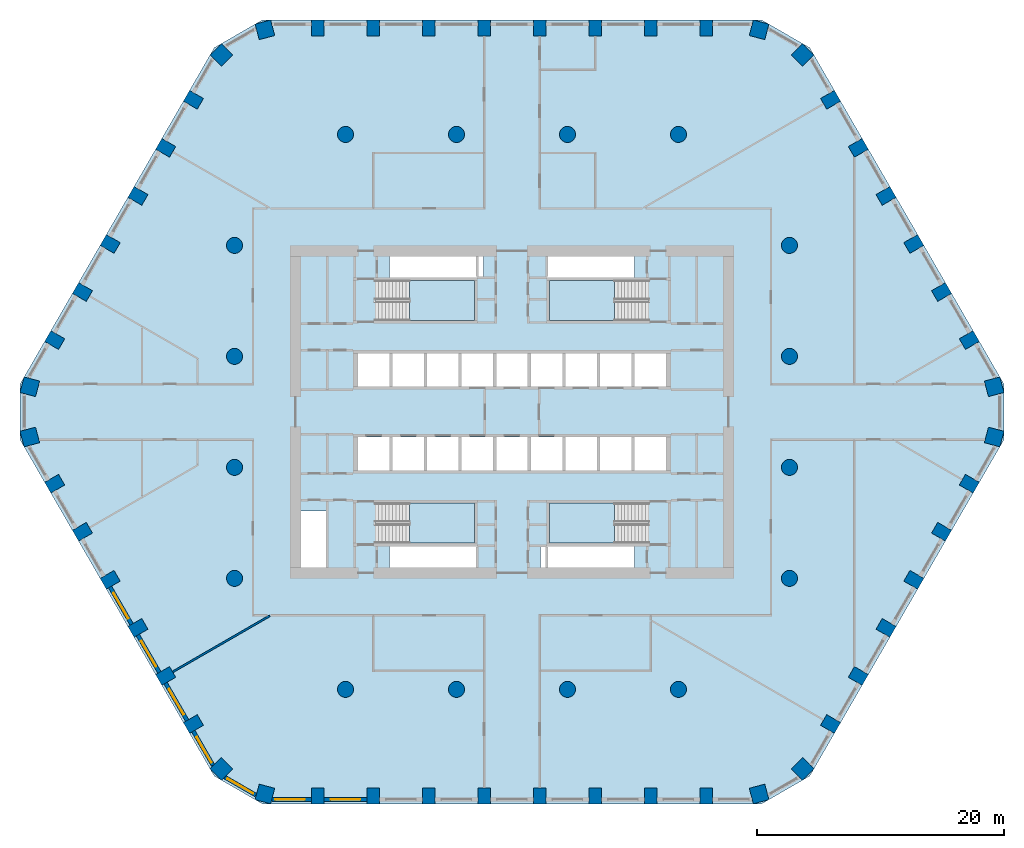
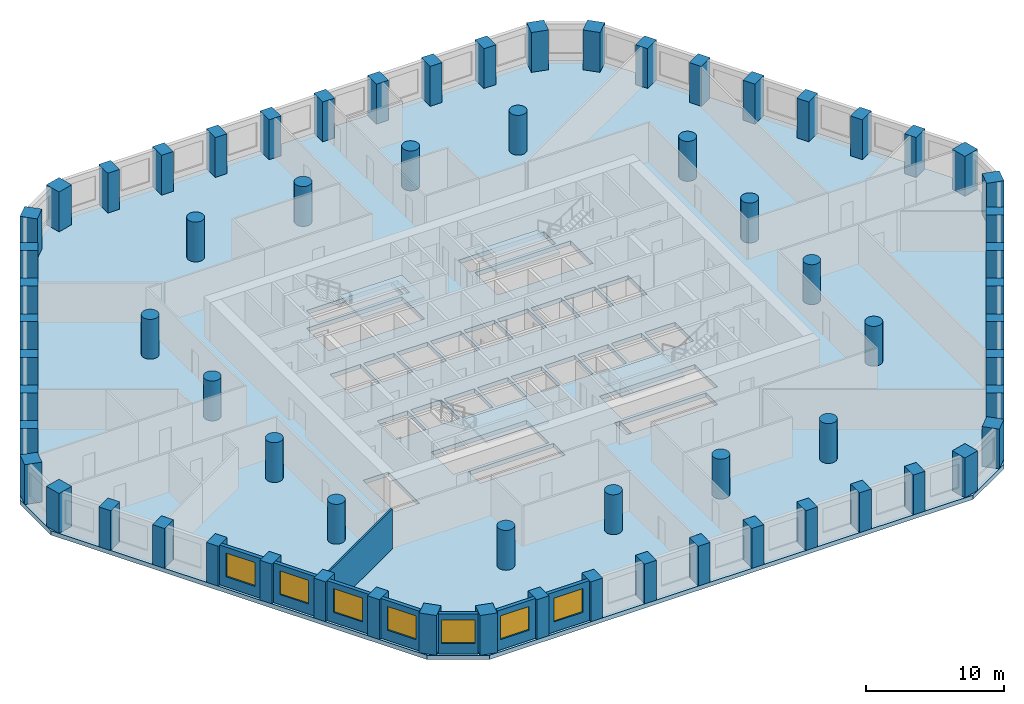
# One storey, part 1 of 10: 68 columns, 8 walls, 7 windows, 5 slabs, 7 openings, 4 elements without a shape of their own.
"""IFC4 building model written with IfcOpenShell, lengths in metres."""

from ifc_helpers import new_model, si_unit, direction, frame, frame_2d, origin, origin_2d, place, context, subcontext, project, spatial, polyline, rectangle, circle, outline, extrude, material, layer, layer_set, material_profile, profile_set, type_object, element, fill, aggregate, save


model = new_model("IFC4")

# Units and contexts
model_context = context("Model", 3, precision=1e-05, world=origin(), true_north=direction((0.0, 1.0)))
body_context = subcontext(model_context, "Body", "Model", "MODEL_VIEW")
ifc_project = project(units=[si_unit("LENGTHUNIT", "METRE"), si_unit("AREAUNIT", "SQUARE_METRE"), si_unit("VOLUMEUNIT", "CUBIC_METRE"), si_unit("PLANEANGLEUNIT", "RADIAN"), si_unit("MASSUNIT", "GRAM", prefix="KILO")], contexts=[model_context])

# Site, building, storey
site_placement = place(None, origin())
site = spatial("IfcSite", under=ifc_project, at=site_placement, CompositionType="ELEMENT")
building_placement = place(site_placement, origin())
building = spatial("IfcBuilding", under=site, at=building_placement, Name="Dhurran Vertical Campus", CompositionType="ELEMENT")
storey_placement = place(building_placement, frame((0.0, 0.0, 108.60009765625)))
storey = spatial("IfcBuildingStorey", under=building, at=storey_placement, Name="L26", CompositionType="ELEMENT", Elevation=108.60009765625)

# Columns
ifc_material_1 = material(Name="Concrete C60/75", Category="concrete")
ifc_material_profile_1 = material_profile(ifc_material_1, rectangle(XDim=1.0, YDim=1.300048828125, at=origin_2d()), Name="RC 1000x1300")
ifc_profile_set_1 = profile_set([ifc_material_profile_1], Name="Concrete C60/75")
column_type_1 = type_object("IfcColumnType", Name="FR COL RC 1000x1300 C60/75", PredefinedType="COLUMN", material=ifc_profile_set_1)
for number, where, z_axis, x_axis, name in (
    (1, (-15.75, -31.1298828125, 0.0), (0.0, 0.0, 1.0), (1.0, 0.0, 0.0), "Perimeter pier PP2.01"),
    (2, (-11.25, -31.1298828125, 0.0), (0.0, 0.0, 1.0), (1.0, 0.0, 0.0), "Perimeter pier PP2.02"),
    (3, (-6.75, -31.1298828125, 0.0), (0.0, 0.0, 1.0), (1.0, 0.0, 0.0), "Perimeter pier PP2.03"),
    (4, (-2.25, -31.1298828125, 0.0), (0.0, 0.0, 1.0), (1.0, 0.0, 0.0), "Perimeter pier PP2.04"),
    (5, (2.25, -31.1298828125, 0.0), (0.0, 0.0, 1.0), (1.0, 0.0, 0.0), "Perimeter pier PP2.05"),
    (6, (6.75, -31.1298828125, 0.0), (0.0, 0.0, 1.0), (1.0, 0.0, 0.0), "Perimeter pier PP2.06"),
    (7, (11.25, -31.1298828125, 0.0), (0.0, 0.0, 1.0), (1.0, 0.0, 0.0), "Perimeter pier PP2.07"),
    (8, (15.75, -31.1298828125, 0.0), (0.0, 0.0, 1.0), (1.0, 0.0, 0.0), "Perimeter pier PP2.08"),
    (9, (25.834228515625, -25.3076171875, 0.0), (0.0, 0.0, 1.0), (0.5, 0.866025403784, 0.0), "Perimeter pier PP2.11"),
    (10, (28.084228515625, -21.41064453125, 0.0), (0.0, 0.0, 1.0), (0.5, 0.866025403784, 0.0), "Perimeter pier PP2.12"),
    (11, (30.334228515625, -17.513427734375, 0.0), (0.0, 0.0, 1.0), (0.5, 0.866025403784, 0.0), "Perimeter pier PP2.13"),
    (12, (32.584228515625, -13.6162109375, 0.0), (0.0, 0.0, 1.0), (0.5, 0.866025403784, 0.0), "Perimeter pier PP2.14"),
    (13, (34.834228515625, -9.71923828125, 0.0), (0.0, 0.0, 1.0), (0.5, 0.866025403784, 0.0), "Perimeter pier PP2.15"),
    (14, (37.084228515625, -5.822021484375, 0.0), (0.0, 0.0, 1.0), (0.5, 0.866025403784, 0.0), "Perimeter pier PP2.16"),
    (15, (37.084228515625, 5.822021484375, 0.0), (0.0, 0.0, 1.0), (-0.5, 0.866025403784, 0.0), "Perimeter pier PP2.19"),
    (16, (34.834228515625, 9.71923828125, 0.0), (0.0, 0.0, 1.0), (-0.5, 0.866025403784, 0.0), "Perimeter pier PP2.20"),
    (17, (32.584228515625, 13.6162109375, 0.0), (0.0, 0.0, 1.0), (-0.5, 0.866025403784, 0.0), "Perimeter pier PP2.21"),
    (18, (30.334228515625, 17.513427734375, 0.0), (0.0, 0.0, 1.0), (-0.5, 0.866025403784, 0.0), "Perimeter pier PP2.22"),
    (19, (28.084228515625, 21.41064453125, 0.0), (0.0, 0.0, 1.0), (-0.5, 0.866025403784, 0.0), "Perimeter pier PP2.23"),
    (20, (25.834228515625, 25.3076171875, 0.0), (0.0, 0.0, 1.0), (-0.5, 0.866025403784, 0.0), "Perimeter pier PP2.24"),
    (21, (15.75, 31.1298828125, 0.0), (0.0, 0.0, 1.0), (-1.0, 0.0, 0.0), "Perimeter pier PP2.27"),
    (22, (11.25, 31.1298828125, 0.0), (0.0, 0.0, 1.0), (-1.0, 0.0, 0.0), "Perimeter pier PP2.28"),
    (23, (6.75, 31.1298828125, 0.0), (0.0, 0.0, 1.0), (-1.0, 0.0, 0.0), "Perimeter pier PP2.29"),
    (24, (2.25, 31.1298828125, 0.0), (0.0, 0.0, 1.0), (-1.0, 0.0, 0.0), "Perimeter pier PP2.30"),
    (25, (-2.25, 31.1298828125, 0.0), (0.0, 0.0, 1.0), (-1.0, 0.0, 0.0), "Perimeter pier PP2.31"),
    (26, (-6.75, 31.1298828125, 0.0), (0.0, 0.0, 1.0), (-1.0, 0.0, 0.0), "Perimeter pier PP2.32"),
    (27, (-11.25, 31.1298828125, 0.0), (0.0, 0.0, 1.0), (-1.0, 0.0, 0.0), "Perimeter pier PP2.33"),
    (28, (-15.75, 31.1298828125, 0.0), (0.0, 0.0, 1.0), (-1.0, 0.0, 0.0), "Perimeter pier PP2.34"),
    (29, (-25.834228515625, 25.3076171875, 0.0), (0.0, 0.0, 1.0), (-0.5, -0.866025403784, 0.0), "Perimeter pier PP2.37"),
    (30, (-28.084228515625, 21.41064453125, 0.0), (0.0, 0.0, 1.0), (-0.5, -0.866025403784, 0.0), "Perimeter pier PP2.38"),
    (31, (-30.334228515625, 17.513427734375, 0.0), (0.0, 0.0, 1.0), (-0.5, -0.866025403784, 0.0), "Perimeter pier PP2.39"),
    (32, (-32.584228515625, 13.6162109375, 0.0), (0.0, 0.0, 1.0), (-0.5, -0.866025403784, 0.0), "Perimeter pier PP2.40"),
    (33, (-34.834228515625, 9.71923828125, 0.0), (0.0, 0.0, 1.0), (-0.5, -0.866025403784, 0.0), "Perimeter pier PP2.41"),
    (34, (-37.084228515625, 5.822021484375, 0.0), (0.0, 0.0, 1.0), (-0.5, -0.866025403784, 0.0), "Perimeter pier PP2.42"),
    (35, (-37.084228515625, -5.822021484375, 0.0), (0.0, 0.0, 1.0), (0.5, -0.866025403784, 0.0), "Perimeter pier PP2.45"),
    (36, (-34.834228515625, -9.71923828125, 0.0), (0.0, 0.0, 1.0), (0.5, -0.866025403784, 0.0), "Perimeter pier PP2.46"),
    (37, (-32.584228515625, -13.6162109375, 0.0), (0.0, 0.0, 1.0), (0.5, -0.866025403784, 0.0), "Perimeter pier PP2.47"),
    (38, (-30.334228515625, -17.513427734375, 0.0), (0.0, 0.0, 1.0), (0.5, -0.866025403784, 0.0), "Perimeter pier PP2.48"),
    (39, (-28.084228515625, -21.41064453125, 0.0), (0.0, 0.0, 1.0), (0.5, -0.866025403784, 0.0), "Perimeter pier PP2.49"),
    (40, (-25.834228515625, -25.3076171875, 0.0), (0.0, 0.0, 1.0), (0.5, -0.866025403784, 0.0), "Perimeter pier PP2.50"),
):
    element("IfcColumn", number, at=place(storey_placement, frame(where, z_axis=z_axis, x_axis=x_axis)), inside=storey, type_object=column_type_1, Name=name, PredefinedType="COLUMN", context=body_context, shape_type="SweptSolid", body=[
        extrude(rectangle(XDim=1.0, YDim=1.300048828125, at=origin_2d()), origin(), (0.0, 0.0, 1.0), 3.52490234375),
    ])
ifc_material_2 = material(Name="Concrete C60/75", Category="concrete")
ifc_material_profile_2 = material_profile(ifc_material_2, rectangle(XDim=1.300048828125, YDim=1.300048828125, at=origin_2d()), Name="RC 1300x1300")
ifc_profile_set_2 = profile_set([ifc_material_profile_2], Name="Concrete C60/75")
column_type_2 = type_object("IfcColumnType", Name="FR COL RC 1300x1300 C60/75", PredefinedType="COLUMN", material=ifc_profile_set_2)
for number, where, z_axis, x_axis, name in (
    (41, (-20.03662109375, -30.983642578125, 0.0), (0.0, 0.0, 1.0), (0.965925826289, -0.258819045103, 0.0), "Perimeter pier PP2.00"),
    (42, (20.03662109375, -30.983642578125, 0.0), (0.0, 0.0, 1.0), (0.965925826289, 0.258819045103, 0.0), "Perimeter pier PP2.09"),
    (43, (23.564208984375, -28.947021484375, 0.0), (0.0, 0.0, 1.0), (0.707106781187, 0.707106781187, 0.0), "Perimeter pier PP2.10"),
    (44, (39.10107421875, -2.03662109375, 0.0), (0.0, 0.0, 1.0), (0.258819045103, 0.965925826289, 0.0), "Perimeter pier PP2.17"),
    (45, (39.10107421875, 2.03662109375, 0.0), (0.0, 0.0, 1.0), (-0.258819045103, 0.965925826289, 0.0), "Perimeter pier PP2.18"),
    (46, (23.564208984375, 28.947021484375, 0.0), (0.0, 0.0, 1.0), (-0.707106781187, 0.707106781187, 0.0), "Perimeter pier PP2.25"),
    (47, (20.03662109375, 30.983642578125, 0.0), (0.0, 0.0, 1.0), (-0.965925826289, 0.258819045103, 0.0), "Perimeter pier PP2.26"),
    (48, (-20.03662109375, 30.983642578125, 0.0), (0.0, 0.0, 1.0), (-0.965925826289, -0.258819045103, 0.0), "Perimeter pier PP2.35"),
    (49, (-23.564208984375, 28.947021484375, 0.0), (0.0, 0.0, 1.0), (-0.707106781187, -0.707106781187, 0.0), "Perimeter pier PP2.36"),
    (50, (-39.10107421875, 2.03662109375, 0.0), (0.0, 0.0, 1.0), (-0.258819045103, -0.965925826289, 0.0), "Perimeter pier PP2.43"),
    (51, (-39.10107421875, -2.03662109375, 0.0), (0.0, 0.0, 1.0), (0.258819045103, -0.965925826289, 0.0), "Perimeter pier PP2.44"),
    (52, (-23.564208984375, -28.947021484375, 0.0), (0.0, 0.0, 1.0), (0.707106781187, -0.707106781187, 0.0), "Perimeter pier PP2.51"),
):
    element("IfcColumn", number, at=place(storey_placement, frame(where, z_axis=z_axis, x_axis=x_axis)), inside=storey, type_object=column_type_2, Name=name, PredefinedType="COLUMN", context=body_context, shape_type="SweptSolid", body=[
        extrude(rectangle(XDim=1.300048828125, YDim=1.300048828125, at=origin_2d()), origin(), (0.0, 0.0, 1.0), 3.52490234375),
    ])
ifc_material_3 = material(Name="Concrete C60/75", Category="concrete")
ifc_material_profile_3 = material_profile(ifc_material_3, circle(Radius=0.64990234375, at=origin_2d()), Name="RCC D1300")
ifc_profile_set_3 = profile_set([ifc_material_profile_3], Name="Concrete C60/75")
column_type_3 = type_object("IfcColumnType", Name="FR COL RCC D1300 C60/75", PredefinedType="COLUMN", material=ifc_profile_set_3)
for number, where, z_axis, x_axis, name in (
    (53, (-22.5, -13.5, 0.0), (0.0, 0.0, 1.0), (1.0, 0.0, 0.0), "Inner column IC2-D4"),
    (54, (-22.5, -4.5, 0.0), (0.0, 0.0, 1.0), (1.0, 0.0, 0.0), "Inner column IC2-D5"),
    (55, (-22.5, 4.5, 0.0), (0.0, 0.0, 1.0), (1.0, 0.0, 0.0), "Inner column IC2-D6"),
    (56, (-22.5, 13.5, 0.0), (0.0, 0.0, 1.0), (1.0, 0.0, 0.0), "Inner column IC2-D7"),
    (57, (-13.5, -22.5, 0.0), (0.0, 0.0, 1.0), (1.0, 0.0, 0.0), "Inner column IC2-E3"),
    (58, (-13.5, 22.5, 0.0), (0.0, 0.0, 1.0), (1.0, 0.0, 0.0), "Inner column IC2-E8"),
    (59, (-4.5, -22.5, 0.0), (0.0, 0.0, 1.0), (1.0, 0.0, 0.0), "Inner column IC2-F3"),
    (60, (-4.5, 22.5, 0.0), (0.0, 0.0, 1.0), (1.0, 0.0, 0.0), "Inner column IC2-F8"),
    (61, (4.5, -22.5, 0.0), (0.0, 0.0, 1.0), (1.0, 0.0, 0.0), "Inner column IC2-G3"),
    (62, (4.5, 22.5, 0.0), (0.0, 0.0, 1.0), (1.0, 0.0, 0.0), "Inner column IC2-G8"),
    (63, (13.5, -22.5, 0.0), (0.0, 0.0, 1.0), (1.0, 0.0, 0.0), "Inner column IC2-H3"),
    (64, (13.5, 22.5, 0.0), (0.0, 0.0, 1.0), (1.0, 0.0, 0.0), "Inner column IC2-H8"),
    (65, (22.5, -13.5, 0.0), (0.0, 0.0, 1.0), (1.0, 0.0, 0.0), "Inner column IC2-J4"),
    (66, (22.5, -4.5, 0.0), (0.0, 0.0, 1.0), (1.0, 0.0, 0.0), "Inner column IC2-J5"),
    (67, (22.5, 4.5, 0.0), (0.0, 0.0, 1.0), (1.0, 0.0, 0.0), "Inner column IC2-J6"),
    (68, (22.5, 13.5, 0.0), (0.0, 0.0, 1.0), (1.0, 0.0, 0.0), "Inner column IC2-J7"),
):
    element("IfcColumn", number, at=place(storey_placement, frame(where, z_axis=z_axis, x_axis=x_axis)), inside=storey, type_object=column_type_3, Name=name, PredefinedType="COLUMN", context=body_context, shape_type="SweptSolid", body=[
        extrude(circle(Radius=0.64990234375, at=origin_2d()), origin(), (0.0, 0.0, 1.0), 3.52490234375),
    ])

# Slab
ifc_material_4 = material(Name="Concrete C40/50", Category="concrete")
ifc_layer_1 = layer(ifc_material_4, 0.375)
ifc_layer_set_1 = layer_set([ifc_layer_1], Name="Concrete C40/50")
slab_type_1 = type_object("IfcSlabType", Name="FR POST-TENSIONED FLAT SLAB 375", PredefinedType="FLOOR", material=ifc_layer_set_1)
slab_1_placement = place(storey_placement, frame((0.0, 0.0, -0.375)))
element("IfcSlab", 69, at=slab_1_placement, inside=storey, type_object=slab_type_1, Name="Floor slab L26", PredefinedType="FLOOR", context=body_context, shape_type="SweptSolid", body=[
    extrude(outline(polyline([(-20.25, -31.77978515625), (20.25, -31.77978515625), (24.147216796875, -29.52978515625), (39.897216796875, -2.25), (39.897216796875, 2.25), (24.147216796875, 29.52978515625), (20.25, 31.77978515625), (-20.25, 31.77978515625), (-24.147216796875, 29.52978515625), (-39.897216796875, 2.25), (-39.897216796875, -2.25), (-24.147216796875, -29.52978515625), (-20.25, -31.77978515625)]), holes=[polyline([(-12.47509765625, 2.050048828125), (-9.925048828125, 2.050048828125), (-9.925048828125, 4.75), (-12.47509765625, 4.75), (-12.47509765625, 2.050048828125)]), polyline([(-9.675048828125, 2.050048828125), (-7.125, 2.050048828125), (-7.125, 4.75), (-9.675048828125, 4.75), (-9.675048828125, 2.050048828125)]), polyline([(-6.875, 2.050048828125), (-4.324951171875, 2.050048828125), (-4.324951171875, 4.75), (-6.875, 4.75), (-6.875, 2.050048828125)]), polyline([(-1.27490234375, 2.050048828125), (1.27490234375, 2.050048828125), (1.27490234375, 4.75), (-1.27490234375, 4.75), (-1.27490234375, 2.050048828125)]), polyline([(9.925048828125, 2.050048828125), (12.47509765625, 2.050048828125), (12.47509765625, 4.75), (9.925048828125, 4.75), (9.925048828125, 2.050048828125)]), polyline([(-1.27490234375, -4.75), (1.27490234375, -4.75), (1.27490234375, -2.050048828125), (-1.27490234375, -2.050048828125), (-1.27490234375, -4.75)]), polyline([(1.52490234375, -4.75), (4.074951171875, -4.75), (4.074951171875, -2.050048828125), (1.52490234375, -2.050048828125), (1.52490234375, -4.75)]), polyline([(4.324951171875, -4.75), (6.875, -4.75), (6.875, -2.050048828125), (4.324951171875, -2.050048828125), (4.324951171875, -4.75)]), polyline([(7.125, -4.75), (9.675048828125, -4.75), (9.675048828125, -2.050048828125), (7.125, -2.050048828125), (7.125, -4.75)]), polyline([(9.925048828125, -4.75), (12.47509765625, -4.75), (12.47509765625, -2.050048828125), (9.925048828125, -2.050048828125), (9.925048828125, -4.75)]), polyline([(-4.074951171875, 2.050048828125), (-1.52490234375, 2.050048828125), (-1.52490234375, 4.75), (-4.074951171875, 4.75), (-4.074951171875, 2.050048828125)]), polyline([(1.52490234375, 2.050048828125), (4.074951171875, 2.050048828125), (4.074951171875, 4.75), (1.52490234375, 4.75), (1.52490234375, 2.050048828125)]), polyline([(4.324951171875, 2.050048828125), (6.875, 2.050048828125), (6.875, 4.75), (4.324951171875, 4.75), (4.324951171875, 2.050048828125)]), polyline([(7.125, 2.050048828125), (9.675048828125, 2.050048828125), (9.675048828125, 4.75), (7.125, 4.75), (7.125, 2.050048828125)]), polyline([(-12.47509765625, -4.75), (-9.925048828125, -4.75), (-9.925048828125, -2.050048828125), (-12.47509765625, -2.050048828125), (-12.47509765625, -4.75)]), polyline([(-9.675048828125, -4.75), (-7.125, -4.75), (-7.125, -2.050048828125), (-9.675048828125, -2.050048828125), (-9.675048828125, -4.75)]), polyline([(-6.875, -4.75), (-4.324951171875, -4.75), (-4.324951171875, -2.050048828125), (-6.875, -2.050048828125), (-6.875, -4.75)]), polyline([(-4.074951171875, -4.75), (-1.52490234375, -4.75), (-1.52490234375, -2.050048828125), (-4.074951171875, -2.050048828125), (-4.074951171875, -4.75)]), polyline([(-11.050048828125, 7.39990234375), (-3.050048828125, 7.39990234375), (-3.050048828125, 10.64990234375), (-11.050048828125, 10.64990234375), (-11.050048828125, 7.39990234375)]), polyline([(3.050048828125, 7.39990234375), (11.050048828125, 7.39990234375), (11.050048828125, 10.64990234375), (3.050048828125, 10.64990234375), (3.050048828125, 7.39990234375)]), polyline([(-11.050048828125, -10.64990234375), (-3.050048828125, -10.64990234375), (-3.050048828125, -7.39990234375), (-11.050048828125, -7.39990234375), (-11.050048828125, -10.64990234375)]), polyline([(3.050048828125, -10.64990234375), (11.050048828125, -10.64990234375), (11.050048828125, -7.39990234375), (3.050048828125, -7.39990234375), (3.050048828125, -10.64990234375)]), polyline([(-9.949951171875, 10.89990234375), (-9.949951171875, 12.60009765625), (-2.800048828125, 12.60009765625), (-2.800048828125, 10.89990234375), (-9.949951171875, 10.89990234375)]), polyline([(9.949951171875, 12.60009765625), (9.949951171875, 10.89990234375), (2.800048828125, 10.89990234375), (2.800048828125, 12.60009765625), (9.949951171875, 12.60009765625)]), polyline([(-9.949951171875, -12.60009765625), (-9.949951171875, -10.89990234375), (-2.800048828125, -10.89990234375), (-2.800048828125, -12.60009765625), (-9.949951171875, -12.60009765625)]), polyline([(9.949951171875, -10.89990234375), (9.949951171875, -12.60009765625), (2.800048828125, -12.60009765625), (2.800048828125, -10.89990234375), (9.949951171875, -10.89990234375)]), polyline([(-17.10009765625, -8.050048828125), (-15.0, -8.050048828125), (-15.0, -12.60009765625), (-17.10009765625, -12.60009765625), (-17.10009765625, -8.050048828125)]), polyline([(-2.300048828125, 12.60009765625), (-2.300048828125, 10.867431640625), (-2.75, 10.867431640625), (-2.75, 12.60009765625), (-2.300048828125, 12.60009765625)]), polyline([(2.300048828125, -12.60009765625), (2.300048828125, -10.867431640625), (2.75, -10.867431640625), (2.75, -12.60009765625), (2.300048828125, -12.60009765625)])]), origin(), (0.0, 0.0, 1.0), 0.375),
])

# Stair, slab
ifc_material_5 = material(Name="Concrete C40/50", Category="concrete")
stair_type = type_object("IfcStairType", Name="co-ST-CORE", PredefinedType="HALF_TURN_STAIR", material=ifc_material_5)
stair_1_placement = place(storey_placement, origin())
stair_1 = element("IfcStair", 70, at=stair_1_placement, inside=storey, type_object=stair_type, Name="L26 Protected exit stair ST1", PredefinedType="HALF_TURN_STAIR")
ifc_material_6 = material(Name="Concrete C40/50", Category="concrete")
ifc_layer_2 = layer(ifc_material_6, 0.199951171875)
ifc_layer_set_2 = layer_set([ifc_layer_2], Name="Concrete C40/50")
slab_type_2 = type_object("IfcSlabType", Name="co-SL-LANDING", PredefinedType="LANDING", material=ifc_layer_set_2)
slab_2_placement = place(storey_placement, frame((0.0, 0.0, 1.75)))
slab_2 = element("IfcSlab", 71, at=slab_2_placement, type_object=slab_type_2, Name="ST1 landing 1", PredefinedType="LANDING", context=body_context, shape_type="SweptSolid", body=[
    extrude(outline(polyline([(-8.300048828125, 7.39990234375), (-3.050048828125, 7.39990234375), (-3.050048828125, 10.64990234375), (-8.300048828125, 10.64990234375), (-8.300048828125, 7.39990234375)])), origin(), (0.0, 0.0, 1.0), 0.199951171875),
])
aggregate(stair_1, [slab_2])

stair_2_placement = place(storey_placement, origin())
stair_2 = element("IfcStair", 72, at=stair_2_placement, inside=storey, type_object=stair_type, Name="L26 Protected exit stair ST2", PredefinedType="HALF_TURN_STAIR")
slab_3_placement = place(storey_placement, frame((0.0, 0.0, 1.75)))
slab_3 = element("IfcSlab", 73, at=slab_3_placement, type_object=slab_type_2, Name="ST2 landing 1", PredefinedType="LANDING", context=body_context, shape_type="SweptSolid", body=[
    extrude(outline(polyline([(8.300048828125, 10.64990234375), (3.050048828125, 10.64990234375), (3.050048828125, 7.39990234375), (8.300048828125, 7.39990234375), (8.300048828125, 10.64990234375)])), origin(), (0.0, 0.0, 1.0), 0.199951171875),
])
aggregate(stair_2, [slab_3])

stair_3_placement = place(storey_placement, origin())
stair_3 = element("IfcStair", 74, at=stair_3_placement, inside=storey, type_object=stair_type, Name="L26 Protected exit stair ST3", PredefinedType="HALF_TURN_STAIR")
slab_4_placement = place(storey_placement, frame((0.0, 0.0, 1.75)))
slab_4 = element("IfcSlab", 75, at=slab_4_placement, type_object=slab_type_2, Name="ST3 landing 1", PredefinedType="LANDING", context=body_context, shape_type="SweptSolid", body=[
    extrude(outline(polyline([(-8.300048828125, -10.64990234375), (-3.050048828125, -10.64990234375), (-3.050048828125, -7.39990234375), (-8.300048828125, -7.39990234375), (-8.300048828125, -10.64990234375)])), origin(), (0.0, 0.0, 1.0), 0.199951171875),
])
aggregate(stair_3, [slab_4])

stair_4_placement = place(storey_placement, origin())
stair_4 = element("IfcStair", 76, at=stair_4_placement, inside=storey, type_object=stair_type, Name="L26 Protected exit stair ST4", PredefinedType="HALF_TURN_STAIR")
slab_5_placement = place(storey_placement, frame((0.0, 0.0, 1.75)))
slab_5 = element("IfcSlab", 77, at=slab_5_placement, type_object=slab_type_2, Name="ST4 landing 1", PredefinedType="LANDING", context=body_context, shape_type="SweptSolid", body=[
    extrude(outline(polyline([(8.300048828125, -7.39990234375), (3.050048828125, -7.39990234375), (3.050048828125, -10.64990234375), (8.300048828125, -10.64990234375), (8.300048828125, -7.39990234375)])), origin(), (0.0, 0.0, 1.0), 0.199951171875),
])
aggregate(stair_4, [slab_5])

# Wall, opening, window
ifc_material_7 = material(Name="Precast concrete C50/60", Category="concrete")
ifc_layer_3 = layer(ifc_material_7, 0.300048828125)
ifc_layer_set_3 = layer_set([ifc_layer_3], Name="Precast concrete C50/60")
wall_type_1 = type_object("IfcWallType", Name="Precast spandrel wall 300", PredefinedType="SOLIDWALL", material=ifc_layer_set_3)
wall_1_placement = place(storey_placement, frame((-19.44287109375, -31.4296875, 0.0), z_axis=(0.0, 0.0, 1.0), x_axis=(1.0, 0.0, 0.0)))
wall_1 = element("IfcWall", 78, at=wall_1_placement, inside=storey, type_object=wall_type_1, Name="EW1 L26.00", PredefinedType="SOLIDWALL", context=body_context, shape_type="SweptSolid", body=[
    extrude(rectangle(XDim=3.1923828125, YDim=0.300048828125, at=frame_2d((1.59619140625, 0.0))), origin(), (0.0, 0.0, 1.0), 3.52490234375),
])
opening_1_placement = place(wall_1_placement, frame((0.242919921875, 0.0, 0.89990234375)))
opening_1 = element("IfcOpeningElement", 79, at=opening_1_placement, cuts=wall_1, Name="Opening WT1", PredefinedType="OPENING", context=body_context, shape_type="SweptSolid", body=[
    extrude(rectangle(XDim=2.39990234375, YDim=2.10009765625, at=frame_2d((1.199951171875, 1.050048828125))), frame((0.0, 0.159912109375, 0.0), z_axis=(0.0, -1.0, 0.0), x_axis=(1.0, 0.0, 0.0)), (0.0, 0.0, 1.0), 0.320068359375),
])
ifc_material_8 = material(Name="Aluminium frame with solar-control glass", Category="aluminium")
window_type = type_object("IfcWindowType", Name="Punched window 2400 x 2100", PartitioningType="SINGLE_PANEL", PredefinedType="WINDOW", material=ifc_material_8)
window_1_placement = place(opening_1_placement, origin())
window_1 = element("IfcWindow", 80, at=window_1_placement, inside=storey, type_object=window_type, Name="WT1 L26.00", OverallHeight=2.10009765625, OverallWidth=2.39990234375, PartitioningType="SINGLE_PANEL", PredefinedType="WINDOW", context=body_context, shape_type="SweptSolid", body=[
    extrude(rectangle(XDim=2.39990234375, YDim=2.10009765625, at=frame_2d((1.199951171875, 1.050048828125))), frame((0.0, 0.030029296875, 0.0), z_axis=(0.0, -1.0, 0.0), x_axis=(1.0, 0.0, 0.0)), (0.0, 0.0, 1.0), 0.06005859375),
])
fill(opening_1, window_1)

wall_2_placement = place(storey_placement, frame((-15.24951171875, -31.4296875, 0.0), z_axis=(0.0, 0.0, 1.0), x_axis=(1.0, 0.0, 0.0)))
wall_2 = element("IfcWall", 81, at=wall_2_placement, inside=storey, type_object=wall_type_1, Name="EW1 L26.01", PredefinedType="SOLIDWALL", context=body_context, shape_type="SweptSolid", body=[
    extrude(rectangle(XDim=3.4990234375, YDim=0.300048828125, at=frame_2d((1.74951171875, 0.0))), origin(), (0.0, 0.0, 1.0), 3.52490234375),
])
opening_2_placement = place(wall_2_placement, frame((0.549560546875, 0.0, 0.89990234375)))
opening_2 = element("IfcOpeningElement", 82, at=opening_2_placement, cuts=wall_2, Name="Opening WT1", PredefinedType="OPENING", context=body_context, shape_type="SweptSolid", body=[
    extrude(rectangle(XDim=2.39990234375, YDim=2.10009765625, at=frame_2d((1.199951171875, 1.050048828125))), frame((0.0, 0.159912109375, 0.0), z_axis=(0.0, -1.0, 0.0), x_axis=(1.0, 0.0, 0.0)), (0.0, 0.0, 1.0), 0.320068359375),
])
window_2_placement = place(opening_2_placement, origin())
window_2 = element("IfcWindow", 83, at=window_2_placement, inside=storey, type_object=window_type, Name="WT1 L26.01", OverallHeight=2.10009765625, OverallWidth=2.39990234375, PartitioningType="SINGLE_PANEL", PredefinedType="WINDOW", context=body_context, shape_type="SweptSolid", body=[
    extrude(rectangle(XDim=2.39990234375, YDim=2.10009765625, at=frame_2d((1.199951171875, 1.050048828125))), frame((0.0, 0.030029296875, 0.0), z_axis=(0.0, -1.0, 0.0), x_axis=(1.0, 0.0, 0.0)), (0.0, 0.0, 1.0), 0.06005859375),
])
fill(opening_2, window_2)

wall_3_placement = place(storey_placement, frame((-32.59375, -14.19970703125, 0.0), z_axis=(0.0, 0.0, 1.0), x_axis=(0.499996256241, -0.866027565234, 0.0)))
wall_3 = element("IfcWall", 84, at=wall_3_placement, inside=storey, type_object=wall_type_1, Name="EW1 L26.47", PredefinedType="SOLIDWALL", context=body_context, shape_type="SweptSolid", body=[
    extrude(rectangle(XDim=3.4990234375, YDim=0.300048828125, at=frame_2d((1.74951171875, 0.0))), origin(), (0.0, 0.0, 1.0), 3.52490234375),
])
opening_3_placement = place(wall_3_placement, frame((0.549560546875, 0.0, 0.89990234375)))
opening_3 = element("IfcOpeningElement", 85, at=opening_3_placement, cuts=wall_3, Name="Opening WT1", PredefinedType="OPENING", context=body_context, shape_type="SweptSolid", body=[
    extrude(rectangle(XDim=2.39990234375, YDim=2.10009765625, at=frame_2d((1.199951171875, 1.050048828125))), frame((0.0, 0.159912109375, 0.0), z_axis=(0.0, -1.0, 0.0), x_axis=(1.0, 0.0, 0.0)), (0.0, 0.0, 1.0), 0.320068359375),
])
window_3_placement = place(opening_3_placement, origin())
window_3 = element("IfcWindow", 86, at=window_3_placement, inside=storey, type_object=window_type, Name="WT1 L26.47", OverallHeight=2.10009765625, OverallWidth=2.39990234375, PartitioningType="SINGLE_PANEL", PredefinedType="WINDOW", context=body_context, shape_type="SweptSolid", body=[
    extrude(rectangle(XDim=2.39990234375, YDim=2.10009765625, at=frame_2d((1.199951171875, 1.050048828125))), frame((0.0, 0.030029296875, 0.0), z_axis=(0.0, -1.0, 0.0), x_axis=(1.0, 0.0, 0.0)), (0.0, 0.0, 1.0), 0.06005859375),
])
fill(opening_3, window_3)

wall_4_placement = place(storey_placement, frame((-30.34375, -18.096923828125, 0.0), z_axis=(0.0, 0.0, 1.0), x_axis=(0.499996256241, -0.866027565234, 0.0)))
wall_4 = element("IfcWall", 87, at=wall_4_placement, inside=storey, type_object=wall_type_1, Name="EW1 L26.48", PredefinedType="SOLIDWALL", context=body_context, shape_type="SweptSolid", body=[
    extrude(rectangle(XDim=3.4990234375, YDim=0.300048828125, at=frame_2d((1.74951171875, 0.0))), origin(), (0.0, 0.0, 1.0), 3.52490234375),
])
opening_4_placement = place(wall_4_placement, frame((0.549560546875, 0.0, 0.89990234375)))
opening_4 = element("IfcOpeningElement", 88, at=opening_4_placement, cuts=wall_4, Name="Opening WT1", PredefinedType="OPENING", context=body_context, shape_type="SweptSolid", body=[
    extrude(rectangle(XDim=2.39990234375, YDim=2.10009765625, at=frame_2d((1.199951171875, 1.050048828125))), frame((0.0, 0.159912109375, 0.0), z_axis=(0.0, -1.0, 0.0), x_axis=(1.0, 0.0, 0.0)), (0.0, 0.0, 1.0), 0.320068359375),
])
window_4_placement = place(opening_4_placement, origin())
window_4 = element("IfcWindow", 89, at=window_4_placement, inside=storey, type_object=window_type, Name="WT1 L26.48", OverallHeight=2.10009765625, OverallWidth=2.39990234375, PartitioningType="SINGLE_PANEL", PredefinedType="WINDOW", context=body_context, shape_type="SweptSolid", body=[
    extrude(rectangle(XDim=2.39990234375, YDim=2.10009765625, at=frame_2d((1.199951171875, 1.050048828125))), frame((0.0, 0.030029296875, 0.0), z_axis=(0.0, -1.0, 0.0), x_axis=(1.0, 0.0, 0.0)), (0.0, 0.0, 1.0), 0.06005859375),
])
fill(opening_4, window_4)

wall_5_placement = place(storey_placement, frame((-28.09375, -21.993896484375, 0.0), z_axis=(0.0, 0.0, 1.0), x_axis=(0.499996256241, -0.866027565234, 0.0)))
wall_5 = element("IfcWall", 90, at=wall_5_placement, inside=storey, type_object=wall_type_1, Name="EW1 L26.49", PredefinedType="SOLIDWALL", context=body_context, shape_type="SweptSolid", body=[
    extrude(rectangle(XDim=3.4990234375, YDim=0.300048828125, at=frame_2d((1.74951171875, 0.0))), origin(), (0.0, 0.0, 1.0), 3.52490234375),
])
opening_5_placement = place(wall_5_placement, frame((0.549560546875, 0.0, 0.89990234375)))
opening_5 = element("IfcOpeningElement", 91, at=opening_5_placement, cuts=wall_5, Name="Opening WT1", PredefinedType="OPENING", context=body_context, shape_type="SweptSolid", body=[
    extrude(rectangle(XDim=2.39990234375, YDim=2.10009765625, at=frame_2d((1.199951171875, 1.050048828125))), frame((0.0, 0.159912109375, 0.0), z_axis=(0.0, -1.0, 0.0), x_axis=(1.0, 0.0, 0.0)), (0.0, 0.0, 1.0), 0.320068359375),
])
window_5_placement = place(opening_5_placement, origin())
window_5 = element("IfcWindow", 92, at=window_5_placement, inside=storey, type_object=window_type, Name="WT1 L26.49", OverallHeight=2.10009765625, OverallWidth=2.39990234375, PartitioningType="SINGLE_PANEL", PredefinedType="WINDOW", context=body_context, shape_type="SweptSolid", body=[
    extrude(rectangle(XDim=2.39990234375, YDim=2.10009765625, at=frame_2d((1.199951171875, 1.050048828125))), frame((0.0, 0.030029296875, 0.0), z_axis=(0.0, -1.0, 0.0), x_axis=(1.0, 0.0, 0.0)), (0.0, 0.0, 1.0), 0.06005859375),
])
fill(opening_5, window_5)

wall_6_placement = place(storey_placement, frame((-25.84375, -25.89111328125, 0.0), z_axis=(0.0, 0.0, 1.0), x_axis=(0.500004907028, -0.866022570692, 0.0)))
wall_6 = element("IfcWall", 93, at=wall_6_placement, inside=storey, type_object=wall_type_1, Name="EW1 L26.50", PredefinedType="SOLIDWALL", context=body_context, shape_type="SweptSolid", body=[
    extrude(rectangle(XDim=3.1923828125, YDim=0.300048828125, at=frame_2d((1.59619140625, 0.0))), origin(), (0.0, 0.0, 1.0), 3.52490234375),
])
opening_6_placement = place(wall_6_placement, frame((0.549560546875, 0.0, 0.89990234375)))
opening_6 = element("IfcOpeningElement", 94, at=opening_6_placement, cuts=wall_6, Name="Opening WT1", PredefinedType="OPENING", context=body_context, shape_type="SweptSolid", body=[
    extrude(rectangle(XDim=2.39990234375, YDim=2.10009765625, at=frame_2d((1.199951171875, 1.050048828125))), frame((0.0, 0.159912109375, 0.0), z_axis=(0.0, -1.0, 0.0), x_axis=(1.0, 0.0, 0.0)), (0.0, 0.0, 1.0), 0.320068359375),
])
window_6_placement = place(opening_6_placement, origin())
window_6 = element("IfcWindow", 95, at=window_6_placement, inside=storey, type_object=window_type, Name="WT1 L26.50", OverallHeight=2.10009765625, OverallWidth=2.39990234375, PartitioningType="SINGLE_PANEL", PredefinedType="WINDOW", context=body_context, shape_type="SweptSolid", body=[
    extrude(rectangle(XDim=2.39990234375, YDim=2.10009765625, at=frame_2d((1.199951171875, 1.050048828125))), frame((0.0, 0.030029296875, 0.0), z_axis=(0.0, -1.0, 0.0), x_axis=(1.0, 0.0, 0.0)), (0.0, 0.0, 1.0), 0.06005859375),
])
fill(opening_6, window_6)

wall_7_placement = place(storey_placement, frame((-23.273193359375, -29.63037109375, 0.0), z_axis=(0.0, 0.0, 1.0), x_axis=(0.866053149362, -0.49995194017, 0.0)))
wall_7 = element("IfcWall", 96, at=wall_7_placement, inside=storey, type_object=wall_type_1, Name="EW1 L26.51", PredefinedType="SOLIDWALL", context=body_context, shape_type="SweptSolid", body=[
    extrude(rectangle(XDim=2.885498046875, YDim=0.300048828125, at=frame_2d((1.44287109375, 0.0))), origin(), (0.0, 0.0, 1.0), 3.52490234375),
])
opening_7_placement = place(wall_7_placement, frame((0.242919921875, 0.0, 0.89990234375)))
opening_7 = element("IfcOpeningElement", 97, at=opening_7_placement, cuts=wall_7, Name="Opening WT1", PredefinedType="OPENING", context=body_context, shape_type="SweptSolid", body=[
    extrude(rectangle(XDim=2.39990234375, YDim=2.10009765625, at=frame_2d((1.199951171875, 1.050048828125))), frame((0.0, 0.159912109375, 0.0), z_axis=(0.0, -1.0, 0.0), x_axis=(1.0, 0.0, 0.0)), (0.0, 0.0, 1.0), 0.320068359375),
])
window_7_placement = place(opening_7_placement, origin())
window_7 = element("IfcWindow", 98, at=window_7_placement, inside=storey, type_object=window_type, Name="WT1 L26.51", OverallHeight=2.10009765625, OverallWidth=2.39990234375, PartitioningType="SINGLE_PANEL", PredefinedType="WINDOW", context=body_context, shape_type="SweptSolid", body=[
    extrude(rectangle(XDim=2.39990234375, YDim=2.10009765625, at=frame_2d((1.199951171875, 1.050048828125))), frame((0.0, 0.030029296875, 0.0), z_axis=(0.0, -1.0, 0.0), x_axis=(1.0, 0.0, 0.0)), (0.0, 0.0, 1.0), 0.06005859375),
])
fill(opening_7, window_7)

# Wall
ifc_material_9 = material(Name="Gypsum board partition on steel studs", Category="steel")
ifc_layer_4 = layer(ifc_material_9, 0.14990234375)
ifc_layer_set_4 = layer_set([ifc_layer_4], Name="Gypsum board partition on steel studs")
wall_type_2 = type_object("IfcWallType", Name="fl-PW-150 fixed partition", PredefinedType="PARTITIONING", material=ifc_layer_set_4)
wall_8_placement = place(storey_placement, frame((-19.643798828125, -16.53759765625, 0.0), z_axis=(0.0, 0.0, 1.0), x_axis=(-0.866004606565, -0.500036020111, 0.0)))
element("IfcWall", 99, at=wall_8_placement, inside=storey, type_object=wall_type_2, Name="Partition 26-11", PredefinedType="PARTITIONING", context=body_context, shape_type="SweptSolid", body=[
    extrude(rectangle(XDim=9.075927734375, YDim=0.14990234375, at=frame_2d((4.5380859375, 0.0))), origin(), (0.0, 0.0, 1.0), 3.52490234375),
])

save(model, "model.ifc")
